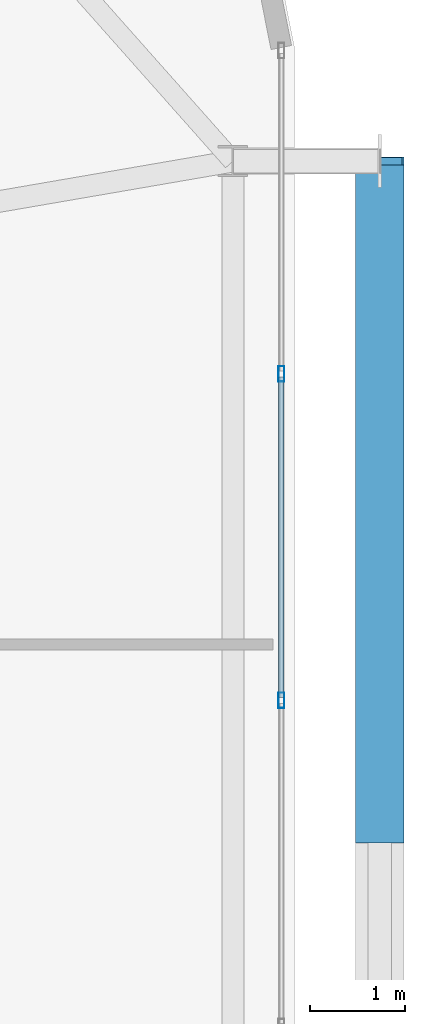
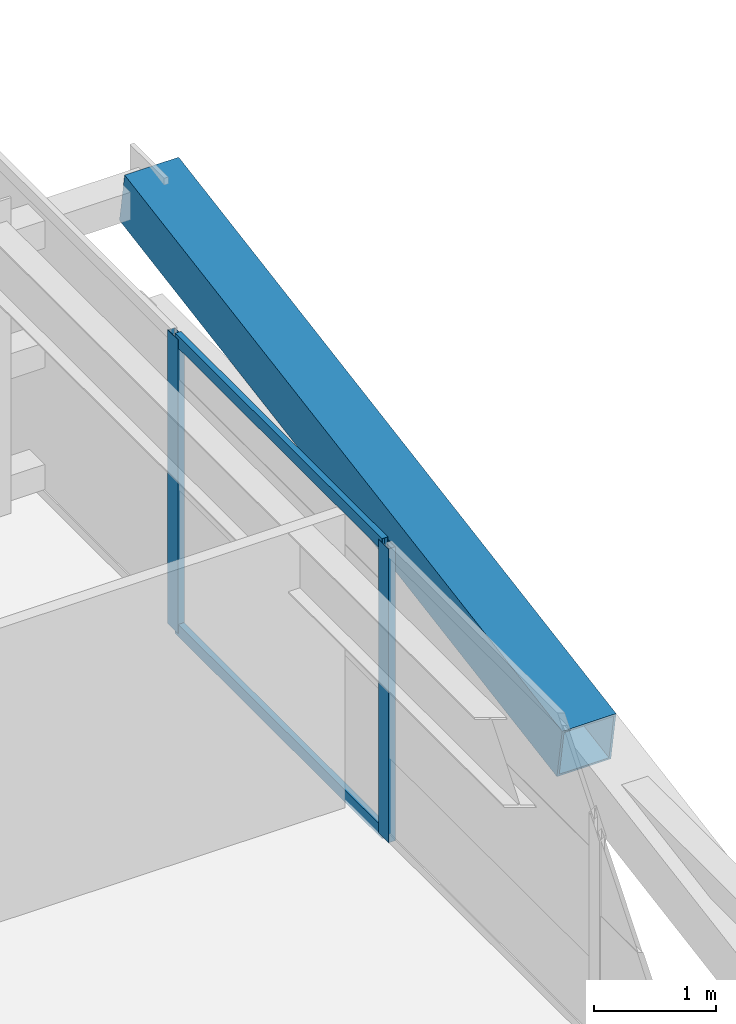
# One storey, part 32 of 59: 5 members, 1 element without a shape of its own.
"""IFC4 building model written with IfcOpenShell, lengths in metres."""

from ifc_helpers import new_model, si_unit, direction, frame, origin, origin_2d, place, context, subcontext, project, spatial, hollow_rectangle, extrude, source, transform, mapped, material, layer, layer_set, material_profile, profile_set, type_object, element, aggregate, save


model = new_model("IFC4")

# Units and contexts
model_context = context("Model", 3, precision=1e-05, world=origin(), true_north=direction((0.0, 1.0)))
body_context = subcontext(model_context, "Body", "Model", "MODEL_VIEW")
ifc_project = project(units=[si_unit("LENGTHUNIT", "METRE"), si_unit("AREAUNIT", "SQUARE_METRE"), si_unit("VOLUMEUNIT", "CUBIC_METRE"), si_unit("PLANEANGLEUNIT", "RADIAN"), si_unit("MASSUNIT", "GRAM", prefix="KILO")], contexts=[model_context])

# Site, building, storey
site_placement = place(None, origin())
site = spatial("IfcSite", under=ifc_project, at=site_placement, CompositionType="ELEMENT")
building_placement = place(site_placement, origin())
building = spatial("IfcBuilding", under=site, at=building_placement, Name="Taldren Reach Tower", CompositionType="ELEMENT")
storey_placement = place(building_placement, frame((0.0, 0.0, 26.25)))
storey = spatial("IfcBuildingStorey", under=building, at=storey_placement, Name="L07", CompositionType="ELEMENT", Elevation=26.25)

# Member
ifc_material_1 = material(Name="Steel Gr 450 (C450L0)", Category="steel")
ifc_material_profile_1 = material_profile(ifc_material_1, hollow_rectangle(XDim=0.510009765625, YDim=0.510009765625, WallThickness=0.02001953125, at=origin_2d()), Name="510x510x20.0SHS")
ifc_profile_set_1 = profile_set([ifc_material_profile_1], Name="Steel Gr 450 (C450L0)")
member_type_1 = type_object("IfcMemberType", Name="MB-EXO508", PredefinedType="BRACE", material=ifc_profile_set_1)
shared_shape_1 = source(origin(), body_context, "Body", "SweptSolid", [
    extrude(hollow_rectangle(XDim=0.510009765625, YDim=0.510009765625, WallThickness=0.02001953125, at=origin_2d()), origin(), (0.0, 0.0, 1.0), 7.252685546875),
])
member_1_placement = place(storey_placement, frame((65.89990234375, 27.14990234375, 1.43505859375), z_axis=(0.0, 0.985871360071, 0.167504213054), x_axis=(-1.0, 0.0, 0.0)))
element("IfcMember", 1, at=member_1_placement, inside=storey, type_object=member_type_1, Name="Exoskeleton Diagrid Brace B1-E2 L07", PredefinedType="BRACE", context=body_context, shape_type="MappedRepresentation", body=[
    mapped(shared_shape_1, transform((0.0, 0.0, 0.0), scale=1.0)),
])

# Curtain wall, members
ifc_material_2 = material(Name="Aluminium and Low-E Glass Unitised System", Category="aluminium")
ifc_layer = layer(ifc_material_2, 0.159912109375)
ifc_layer_set = layer_set([ifc_layer], Name="Aluminium and Low-E Glass Unitised System")
curtain_wall_type = type_object("IfcCurtainWallType", Name="CW-SYS-2", PredefinedType="NOTDEFINED", material=ifc_layer_set)
curtain_wall_placement = place(storey_placement, origin())
curtain_wall = element("IfcCurtainWall", 2, at=curtain_wall_placement, inside=storey, type_object=curtain_wall_type, Name="Unitised curtain wall CW-L07-E", PredefinedType="NOTDEFINED")
ifc_material_3 = material(Name="Anodised Aluminium 6063-T6", Category="aluminium")
ifc_material_profile_2 = material_profile(ifc_material_3, hollow_rectangle(XDim=0.06494140625, YDim=0.1650390625, WallThickness=0.00390625, at=origin_2d()), Name="ALU-165x65x4RHS")
ifc_profile_set_2 = profile_set([ifc_material_profile_2], Name="Anodised Aluminium 6063-T6")
member_type_2 = type_object("IfcMemberType", Name="CW-MUL-165", PredefinedType="MULLION", material=ifc_profile_set_2)
shared_shape_2 = source(origin(), body_context, "Body", "SweptSolid", [
    extrude(hollow_rectangle(XDim=0.06494140625, YDim=0.1650390625, WallThickness=0.00390625, at=origin_2d()), origin(), (0.0, 0.0, 1.0), 2.929931640625),
])
member_2_placement = place(storey_placement, frame((64.860107421875, 28.611083984375, 0.0), z_axis=(0.0, 0.0, 1.0), x_axis=(-1.0, 0.0, 0.0)))
member_2 = element("IfcMember", 3, at=member_2_placement, type_object=member_type_2, Name="CW-2 mullion 8", PredefinedType="MULLION", context=body_context, shape_type="MappedRepresentation", body=[
    mapped(shared_shape_2, transform((0.0, 0.0, 0.0), scale=1.0)),
])
member_3_placement = place(storey_placement, frame((64.860107421875, 32.0556640625, 0.0), z_axis=(0.0, 0.0, 1.0), x_axis=(-1.0, 0.0, 0.0)))
member_3 = element("IfcMember", 4, at=member_3_placement, type_object=member_type_2, Name="CW-2 mullion 9", PredefinedType="MULLION", context=body_context, shape_type="MappedRepresentation", body=[
    mapped(shared_shape_2, transform((0.0, 0.0, 0.0), scale=1.0)),
])
ifc_material_profile_3 = material_profile(ifc_material_3, hollow_rectangle(XDim=0.054931640625, YDim=0.1201171875, WallThickness=0.0029296875, at=origin_2d()), Name="ALU-120x55x3RHS")
ifc_profile_set_3 = profile_set([ifc_material_profile_3], Name="Anodised Aluminium 6063-T6")
member_type_3 = type_object("IfcMemberType", Name="CW-TRN-135", PredefinedType="USERDEFINED", material=ifc_profile_set_3)
shared_shape_3 = source(origin(), body_context, "Body", "SweptSolid", [
    extrude(hollow_rectangle(XDim=0.054931640625, YDim=0.1201171875, WallThickness=0.0029296875, at=origin_2d()), origin(), (0.0, 0.0, 1.0), 3.37939453125),
])
member_4_placement = place(storey_placement, frame((64.860107421875, 28.6435546875, 0.027587890625), z_axis=(0.0, 1.0, 0.0), x_axis=(-1.0, 0.0, 0.0)))
member_4 = element("IfcMember", 5, at=member_4_placement, type_object=member_type_3, Name="CW-2 transom 8.1", ObjectType="TRANSOM", PredefinedType="USERDEFINED", context=body_context, shape_type="MappedRepresentation", body=[
    mapped(shared_shape_3, transform((0.0, 0.0, 0.0), scale=1.0)),
])
member_5_placement = place(storey_placement, frame((64.860107421875, 28.6435546875, 2.902587890625), z_axis=(0.0, 1.0, 0.0), x_axis=(-1.0, 0.0, 0.0)))
member_5 = element("IfcMember", 6, at=member_5_placement, type_object=member_type_3, Name="CW-2 transom 8.2", ObjectType="TRANSOM", PredefinedType="USERDEFINED", context=body_context, shape_type="MappedRepresentation", body=[
    mapped(shared_shape_3, transform((0.0, 0.0, 0.0), scale=1.0)),
])
aggregate(curtain_wall, [member_2, member_3, member_4, member_5])

save(model, "model.ifc")
